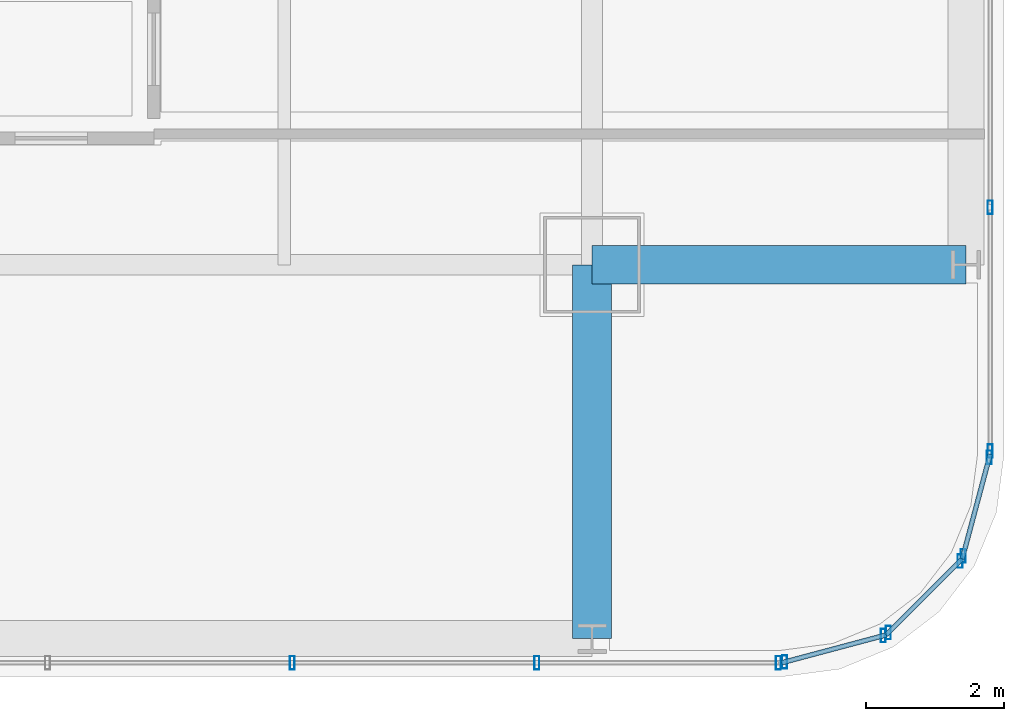
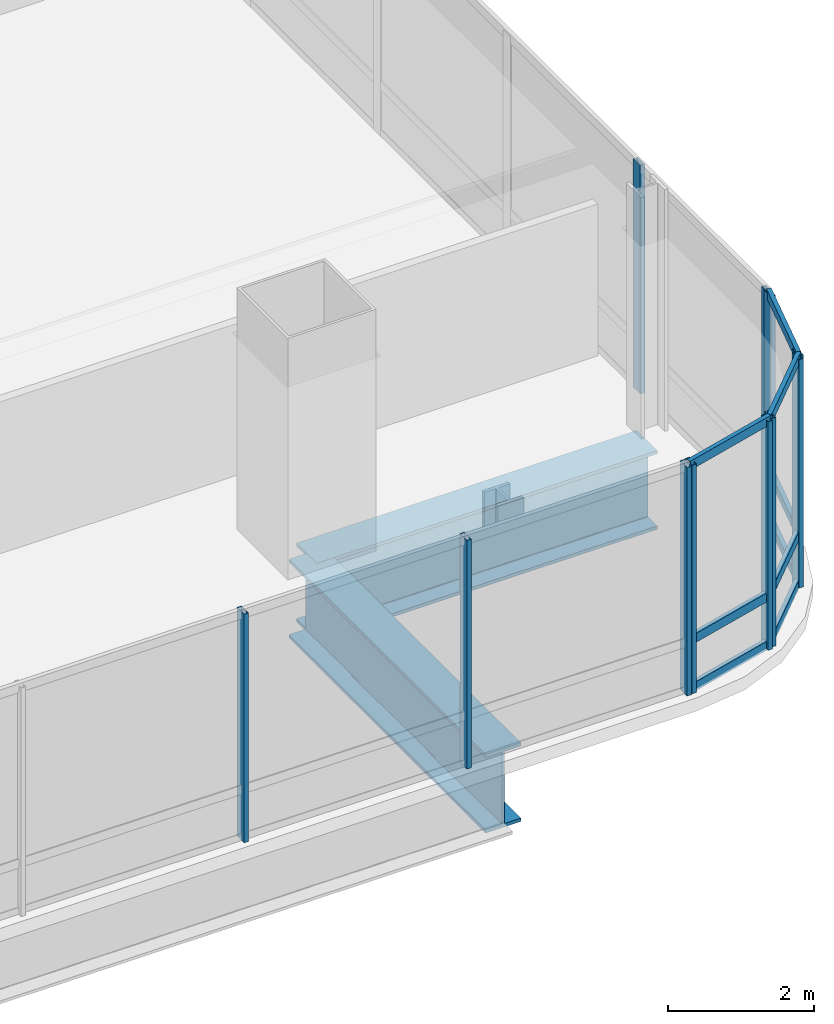
# One storey, part 13 of 36: 20 members, 2 beams, 5 elements without a shape of their own.
"""IFC4 building model written with IfcOpenShell, lengths in metres."""

from ifc_helpers import new_model, si_unit, direction, frame, origin, origin_2d, place, context, subcontext, project, spatial, hollow_rectangle, i_section, extrude, material, material_profile, profile_set, type_object, element, aggregate, save


model = new_model("IFC4")

# Units and contexts
model_context = context("Model", 3, precision=1e-05, world=origin(), true_north=direction((0.0, 1.0)))
body_context = subcontext(model_context, "Body", "Model", "MODEL_VIEW")
ifc_project = project(units=[si_unit("LENGTHUNIT", "METRE"), si_unit("AREAUNIT", "SQUARE_METRE"), si_unit("VOLUMEUNIT", "CUBIC_METRE"), si_unit("PLANEANGLEUNIT", "RADIAN"), si_unit("MASSUNIT", "GRAM", prefix="KILO")], contexts=[model_context])

# Site, building, storey
site_placement = place(None, origin())
site = spatial("IfcSite", under=ifc_project, at=site_placement, CompositionType="ELEMENT")
building_placement = place(site_placement, origin())
building = spatial("IfcBuilding", under=site, at=building_placement, Name="Punatoya Terracotta Tower", CompositionType="ELEMENT")
storey_placement = place(building_placement, frame((0.0, 0.0, 208.64990234375)))
storey = spatial("IfcBuildingStorey", under=building, at=storey_placement, Name="L49", CompositionType="ELEMENT", Elevation=208.64990234375)

# Beams
ifc_material_1 = material(Name="Steel S460", Category="steel")
ifc_material_profile_1 = material_profile(ifc_material_1, i_section(OverallWidth=0.56005859375, OverallDepth=1.320068359375, WebThickness=0.035888671875, FlangeThickness=0.054931640625, FilletRadius=0.01806640625, at=origin_2d()))
ifc_profile_set_1 = profile_set([ifc_material_profile_1], Name="Steel S460")
beam_type = type_object("IfcBeamType", Name="BM-TG-BLK", PredefinedType="BEAM", material=ifc_profile_set_1)
for number, where, z_axis, x_axis, name in (
    (1, (19.10009765625, -17.5, -0.8798828125), (1.0, 0.0, 0.0), (0.0, 1.0, 0.0), "BM-L49-CANT-E1"),
    (2, (19.10009765625, -22.89990234375, -0.8798828125), (0.0, 1.0, 0.0), (-1.0, 0.0, 0.0), "BM-L49-CANT-S4"),
):
    element("IfcBeam", number, at=place(storey_placement, frame(where, z_axis=z_axis, x_axis=x_axis)), inside=storey, type_object=beam_type, Name=name, PredefinedType="BEAM", context=body_context, shape_type="SweptSolid", body=[
        extrude(i_section(OverallWidth=0.56005859375, OverallDepth=1.320068359375, WebThickness=0.035888671875, FlangeThickness=0.054931640625, FilletRadius=0.01806640625, at=origin_2d()), origin(), (0.0, 0.0, 1.0), 5.39990234375),
    ])

# Curtain wall, members
ifc_material_2 = material(Name="Aluminium 6063-T6 + Double Low-E Glass", Category="aluminium")
curtain_wall_type = type_object("IfcCurtainWallType", Name="CW-M2", PredefinedType="NOTDEFINED", material=ifc_material_2)
curtain_wall_1_placement = place(storey_placement, origin())
curtain_wall_1 = element("IfcCurtainWall", 3, at=curtain_wall_1_placement, inside=storey, type_object=curtain_wall_type, Name="L49 Curtain Wall CW-L49-S01-1", PredefinedType="NOTDEFINED")
ifc_material_3 = material(Name="Aluminium 6063-T6", Category="aluminium")
ifc_material_profile_2 = material_profile(ifc_material_3, hollow_rectangle(XDim=0.072021484375, YDim=0.195068359375, WallThickness=0.00439453125, at=origin_2d()))
ifc_profile_set_2 = profile_set([ifc_material_profile_2], Name="Aluminium 6063-T6")
member_type_1 = type_object("IfcMemberType", Name="CW-MUL-M2", PredefinedType="MULLION", material=ifc_profile_set_2)
member_1_placement = place(storey_placement, frame((14.768798828125, -23.25, 0.0), z_axis=(0.0, 0.0, 1.0), x_axis=(1.0, 0.0, 0.0)))
member_1 = element("IfcMember", 4, at=member_1_placement, type_object=member_type_1, Name="CW-L49-S01-1 Mullion 09", PredefinedType="MULLION", context=body_context, shape_type="SweptSolid", body=[
    extrude(hollow_rectangle(XDim=0.072021484375, YDim=0.195068359375, WallThickness=0.00439453125, at=origin_2d()), origin(), (0.0, 0.0, 1.0), 3.830078125),
])
member_2_placement = place(storey_placement, frame((18.302978515625, -23.25, 0.0), z_axis=(0.0, 0.0, 1.0), x_axis=(1.0, 0.0, 0.0)))
member_2 = element("IfcMember", 5, at=member_2_placement, type_object=member_type_1, Name="CW-L49-S01-1 Mullion 10", PredefinedType="MULLION", context=body_context, shape_type="SweptSolid", body=[
    extrude(hollow_rectangle(XDim=0.072021484375, YDim=0.195068359375, WallThickness=0.00439453125, at=origin_2d()), origin(), (0.0, 0.0, 1.0), 3.830078125),
])
member_3_placement = place(storey_placement, frame((21.7919921875, -23.25, 0.0), z_axis=(0.0, 0.0, 1.0), x_axis=(1.0, 0.0, 0.0)))
member_3 = element("IfcMember", 6, at=member_3_placement, type_object=member_type_1, Name="CW-L49-S01-1 Mullion 11", PredefinedType="MULLION", context=body_context, shape_type="SweptSolid", body=[
    extrude(hollow_rectangle(XDim=0.072021484375, YDim=0.195068359375, WallThickness=0.00439453125, at=origin_2d()), origin(), (0.0, 0.0, 1.0), 3.830078125),
])
aggregate(curtain_wall_1, [member_1, member_2, member_3])

curtain_wall_2_placement = place(storey_placement, origin())
curtain_wall_2 = element("IfcCurtainWall", 7, at=curtain_wall_2_placement, inside=storey, type_object=curtain_wall_type, Name="L49 Curtain Wall CW-L49-CRN02", PredefinedType="NOTDEFINED")
member_4_placement = place(storey_placement, frame((21.88037109375, -23.23828125, 0.0), z_axis=(0.0, 0.0, 1.0), x_axis=(1.0, 0.0, 0.0)))
member_4 = element("IfcMember", 8, at=member_4_placement, type_object=member_type_1, Name="CW-L49-CRN02 Mullion 00", PredefinedType="MULLION", context=body_context, shape_type="SweptSolid", body=[
    extrude(hollow_rectangle(XDim=0.072021484375, YDim=0.195068359375, WallThickness=0.00439453125, at=origin_2d()), origin(), (0.0, 0.0, 1.0), 3.830078125),
])
member_5_placement = place(storey_placement, frame((23.3056640625, -22.858154296875, 0.0), z_axis=(0.0, 0.0, 1.0), x_axis=(1.0, 0.0, 0.0)))
member_5 = element("IfcMember", 9, at=member_5_placement, type_object=member_type_1, Name="CW-L49-CRN02 Mullion 01", PredefinedType="MULLION", context=body_context, shape_type="SweptSolid", body=[
    extrude(hollow_rectangle(XDim=0.072021484375, YDim=0.195068359375, WallThickness=0.00439453125, at=origin_2d()), origin(), (0.0, 0.0, 1.0), 3.830078125),
])

curtain_wall_3_placement = place(storey_placement, origin())
curtain_wall_3 = element("IfcCurtainWall", 10, at=curtain_wall_3_placement, inside=storey, type_object=curtain_wall_type, Name="L49 Curtain Wall CW-L49-CRN03", PredefinedType="NOTDEFINED")
member_6_placement = place(storey_placement, frame((23.380859375, -22.814697265625, 0.0), z_axis=(0.0, 0.0, 1.0), x_axis=(1.0, 0.0, 0.0)))
member_6 = element("IfcMember", 11, at=member_6_placement, type_object=member_type_1, Name="CW-L49-CRN03 Mullion 00", PredefinedType="MULLION", context=body_context, shape_type="SweptSolid", body=[
    extrude(hollow_rectangle(XDim=0.072021484375, YDim=0.195068359375, WallThickness=0.00439453125, at=origin_2d()), origin(), (0.0, 0.0, 1.0), 3.830078125),
])
member_7_placement = place(storey_placement, frame((24.414794921875, -21.781005859375, 0.0), z_axis=(0.0, 0.0, 1.0), x_axis=(1.0, 0.0, 0.0)))
member_7 = element("IfcMember", 12, at=member_7_placement, type_object=member_type_1, Name="CW-L49-CRN03 Mullion 01", PredefinedType="MULLION", context=body_context, shape_type="SweptSolid", body=[
    extrude(hollow_rectangle(XDim=0.072021484375, YDim=0.195068359375, WallThickness=0.00439453125, at=origin_2d()), origin(), (0.0, 0.0, 1.0), 3.830078125),
])

curtain_wall_4_placement = place(storey_placement, origin())
curtain_wall_4 = element("IfcCurtainWall", 13, at=curtain_wall_4_placement, inside=storey, type_object=curtain_wall_type, Name="L49 Curtain Wall CW-L49-CRN04", PredefinedType="NOTDEFINED")
member_8_placement = place(storey_placement, frame((24.458251953125, -21.70556640625, 0.0), z_axis=(0.0, 0.0, 1.0), x_axis=(1.0, 0.0, 0.0)))
member_8 = element("IfcMember", 14, at=member_8_placement, type_object=member_type_1, Name="CW-L49-CRN04 Mullion 00", PredefinedType="MULLION", context=body_context, shape_type="SweptSolid", body=[
    extrude(hollow_rectangle(XDim=0.072021484375, YDim=0.195068359375, WallThickness=0.00439453125, at=origin_2d()), origin(), (0.0, 0.0, 1.0), 3.830078125),
])
member_9_placement = place(storey_placement, frame((24.83837890625, -20.280517578125, 0.0), z_axis=(0.0, 0.0, 1.0), x_axis=(1.0, 0.0, 0.0)))
member_9 = element("IfcMember", 15, at=member_9_placement, type_object=member_type_1, Name="CW-L49-CRN04 Mullion 01", PredefinedType="MULLION", context=body_context, shape_type="SweptSolid", body=[
    extrude(hollow_rectangle(XDim=0.072021484375, YDim=0.195068359375, WallThickness=0.00439453125, at=origin_2d()), origin(), (0.0, 0.0, 1.0), 3.830078125),
])

curtain_wall_5_placement = place(storey_placement, origin())
curtain_wall_5 = element("IfcCurtainWall", 16, at=curtain_wall_5_placement, inside=storey, type_object=curtain_wall_type, Name="L49 Curtain Wall CW-L49-E05-1", PredefinedType="NOTDEFINED")
member_10_placement = place(storey_placement, frame((24.85009765625, -20.19189453125, 0.0), z_axis=(0.0, 0.0, 1.0), x_axis=(1.0, 0.0, 0.0)))
member_10 = element("IfcMember", 17, at=member_10_placement, type_object=member_type_1, Name="CW-L49-E05-1 Mullion 00", PredefinedType="MULLION", context=body_context, shape_type="SweptSolid", body=[
    extrude(hollow_rectangle(XDim=0.072021484375, YDim=0.195068359375, WallThickness=0.00439453125, at=origin_2d()), origin(), (0.0, 0.0, 1.0), 3.830078125),
])
member_11_placement = place(storey_placement, frame((24.85009765625, -16.66943359375, 0.0), z_axis=(0.0, 0.0, 1.0), x_axis=(1.0, 0.0, 0.0)))
member_11 = element("IfcMember", 18, at=member_11_placement, type_object=member_type_1, Name="CW-L49-E05-1 Mullion 01", PredefinedType="MULLION", context=body_context, shape_type="SweptSolid", body=[
    extrude(hollow_rectangle(XDim=0.072021484375, YDim=0.195068359375, WallThickness=0.00439453125, at=origin_2d()), origin(), (0.0, 0.0, 1.0), 3.830078125),
])
aggregate(curtain_wall_5, [member_10, member_11])

# Member
ifc_material_profile_3 = material_profile(ifc_material_3, hollow_rectangle(XDim=0.068115234375, YDim=0.14990234375, WallThickness=0.00390625, at=origin_2d()))
ifc_profile_set_3 = profile_set([ifc_material_profile_3], Name="Aluminium 6063-T6")
member_type_2 = type_object("IfcMemberType", Name="CW-TRN-TYP", PredefinedType="USERDEFINED", material=ifc_profile_set_3)
member_12_placement = place(storey_placement, frame((21.8369140625, -23.25, 0.0400390625), z_axis=(0.966224582397, 0.257701486942, 0.0), x_axis=(-0.257701486942, 0.966224582397, 0.0)))
member_12 = element("IfcMember", 19, at=member_12_placement, type_object=member_type_2, Name="CW-L49-CRN02 Transom 1", ObjectType="TRANSOM", PredefinedType="USERDEFINED", context=body_context, shape_type="SweptSolid", body=[
    extrude(hollow_rectangle(XDim=0.068115234375, YDim=0.14990234375, WallThickness=0.00390625, at=origin_2d()), origin(), (0.0, 0.0, 1.0), 1.565185546875),
])

member_13_placement = place(storey_placement, frame((21.8369140625, -23.25, 0.85009765625), z_axis=(0.966224582397, 0.257701486942, 0.0), x_axis=(-0.257701486942, 0.966224582397, 0.0)))
member_13 = element("IfcMember", 20, at=member_13_placement, type_object=member_type_2, Name="CW-L49-CRN02 Transom 2", ObjectType="TRANSOM", PredefinedType="USERDEFINED", context=body_context, shape_type="SweptSolid", body=[
    extrude(hollow_rectangle(XDim=0.068115234375, YDim=0.14990234375, WallThickness=0.00390625, at=origin_2d()), origin(), (0.0, 0.0, 1.0), 1.565185546875),
])

member_14_placement = place(storey_placement, frame((21.8369140625, -23.25, 3.7900390625), z_axis=(0.966224582397, 0.257701486942, 0.0), x_axis=(-0.257701486942, 0.966224582397, 0.0)))
member_14 = element("IfcMember", 21, at=member_14_placement, type_object=member_type_2, Name="CW-L49-CRN02 Transom 3", ObjectType="TRANSOM", PredefinedType="USERDEFINED", context=body_context, shape_type="SweptSolid", body=[
    extrude(hollow_rectangle(XDim=0.068115234375, YDim=0.14990234375, WallThickness=0.00390625, at=origin_2d()), origin(), (0.0, 0.0, 1.0), 1.565185546875),
])

aggregate(curtain_wall_2, [member_4, member_5, member_12, member_13, member_14])

member_15_placement = place(storey_placement, frame((23.34912109375, -22.8466796875, 0.0400390625), z_axis=(0.707028130747, 0.707185422879, 0.0), x_axis=(-0.707185422879, 0.707028130747, 0.0)))
member_15 = element("IfcMember", 22, at=member_15_placement, type_object=member_type_2, Name="CW-L49-CRN03 Transom 1", ObjectType="TRANSOM", PredefinedType="USERDEFINED", context=body_context, shape_type="SweptSolid", body=[
    extrude(hollow_rectangle(XDim=0.068115234375, YDim=0.14990234375, WallThickness=0.00390625, at=origin_2d()), origin(), (0.0, 0.0, 1.0), 1.55224609375),
])

member_16_placement = place(storey_placement, frame((23.34912109375, -22.8466796875, 0.85009765625), z_axis=(0.707028130747, 0.707185422879, 0.0), x_axis=(-0.707185422879, 0.707028130747, 0.0)))
member_16 = element("IfcMember", 23, at=member_16_placement, type_object=member_type_2, Name="CW-L49-CRN03 Transom 2", ObjectType="TRANSOM", PredefinedType="USERDEFINED", context=body_context, shape_type="SweptSolid", body=[
    extrude(hollow_rectangle(XDim=0.068115234375, YDim=0.14990234375, WallThickness=0.00390625, at=origin_2d()), origin(), (0.0, 0.0, 1.0), 1.55224609375),
])

member_17_placement = place(storey_placement, frame((23.34912109375, -22.8466796875, 3.7900390625), z_axis=(0.707028130747, 0.707185422879, 0.0), x_axis=(-0.707185422879, 0.707028130747, 0.0)))
member_17 = element("IfcMember", 24, at=member_17_placement, type_object=member_type_2, Name="CW-L49-CRN03 Transom 3", ObjectType="TRANSOM", PredefinedType="USERDEFINED", context=body_context, shape_type="SweptSolid", body=[
    extrude(hollow_rectangle(XDim=0.068115234375, YDim=0.14990234375, WallThickness=0.00390625, at=origin_2d()), origin(), (0.0, 0.0, 1.0), 1.55224609375),
])

aggregate(curtain_wall_3, [member_6, member_7, member_15, member_16, member_17])

member_18_placement = place(storey_placement, frame((24.446533203125, -21.7490234375, 0.0400390625), z_axis=(0.257847112249, 0.966185730957, 0.0), x_axis=(-0.966185730957, 0.257847112249, 0.0)))
member_18 = element("IfcMember", 25, at=member_18_placement, type_object=member_type_2, Name="CW-L49-CRN04 Transom 1", ObjectType="TRANSOM", PredefinedType="USERDEFINED", context=body_context, shape_type="SweptSolid", body=[
    extrude(hollow_rectangle(XDim=0.068115234375, YDim=0.14990234375, WallThickness=0.00390625, at=origin_2d()), origin(), (0.0, 0.0, 1.0), 1.565185546875),
])

member_19_placement = place(storey_placement, frame((24.446533203125, -21.7490234375, 0.85009765625), z_axis=(0.257847112249, 0.966185730957, 0.0), x_axis=(-0.966185730957, 0.257847112249, 0.0)))
member_19 = element("IfcMember", 26, at=member_19_placement, type_object=member_type_2, Name="CW-L49-CRN04 Transom 2", ObjectType="TRANSOM", PredefinedType="USERDEFINED", context=body_context, shape_type="SweptSolid", body=[
    extrude(hollow_rectangle(XDim=0.068115234375, YDim=0.14990234375, WallThickness=0.00390625, at=origin_2d()), origin(), (0.0, 0.0, 1.0), 1.565185546875),
])

member_20_placement = place(storey_placement, frame((24.446533203125, -21.7490234375, 3.7900390625), z_axis=(0.257847112249, 0.966185730957, 0.0), x_axis=(-0.966185730957, 0.257847112249, 0.0)))
member_20 = element("IfcMember", 27, at=member_20_placement, type_object=member_type_2, Name="CW-L49-CRN04 Transom 3", ObjectType="TRANSOM", PredefinedType="USERDEFINED", context=body_context, shape_type="SweptSolid", body=[
    extrude(hollow_rectangle(XDim=0.068115234375, YDim=0.14990234375, WallThickness=0.00390625, at=origin_2d()), origin(), (0.0, 0.0, 1.0), 1.565185546875),
])

aggregate(curtain_wall_4, [member_8, member_9, member_18, member_19, member_20])

save(model, "model.ifc")
